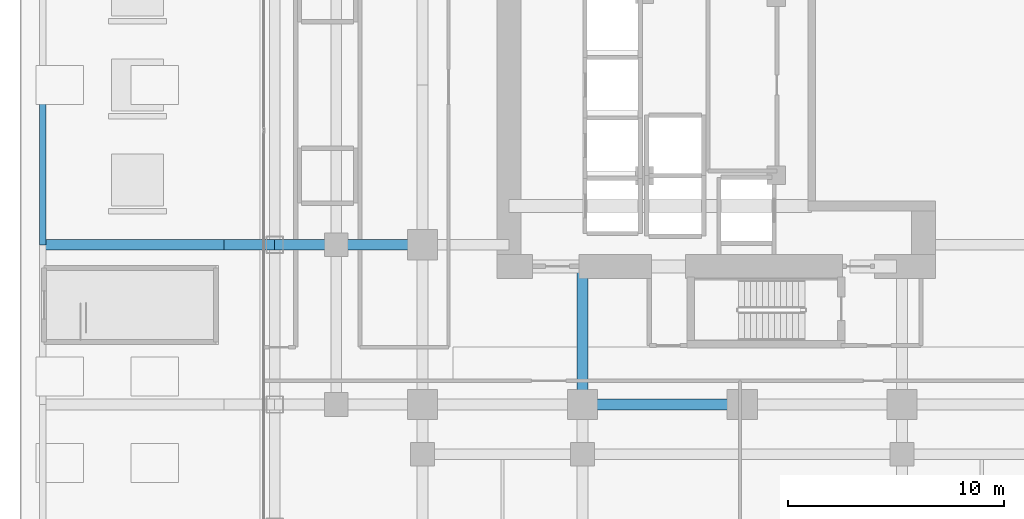
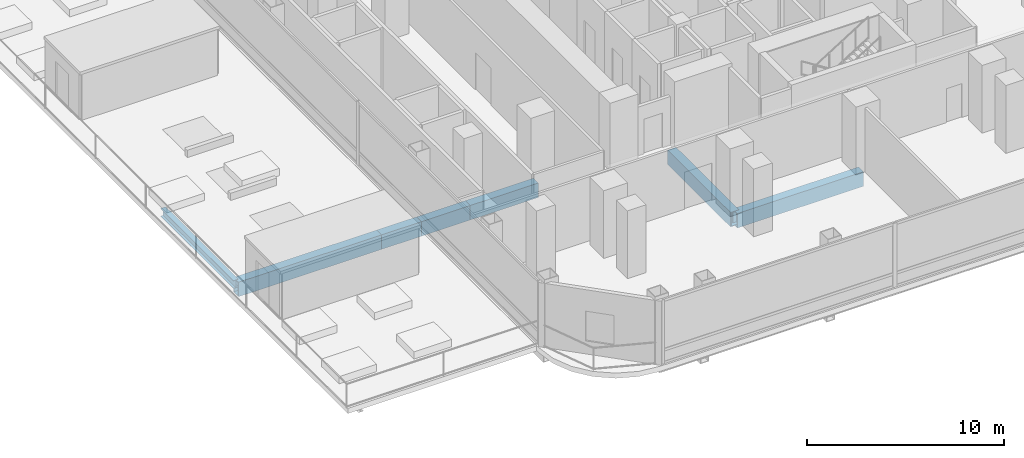
# One storey, part 5 of 29: 7 beams.
"""IFC4 building model written with IfcOpenShell, lengths in metres."""

from ifc_helpers import new_model, si_unit, direction, frame, origin, origin_2d, place, context, subcontext, project, spatial, hollow_rectangle, i_section, extrude, material, material_profile, profile_set, type_object, element, save


model = new_model("IFC4")

# Units and contexts
model_context = context("Model", 3, precision=1e-05, world=origin(), true_north=direction((0.0, 1.0)))
body_context = subcontext(model_context, "Body", "Model", "MODEL_VIEW")
ifc_project = project(units=[si_unit("LENGTHUNIT", "METRE"), si_unit("AREAUNIT", "SQUARE_METRE"), si_unit("VOLUMEUNIT", "CUBIC_METRE"), si_unit("PLANEANGLEUNIT", "RADIAN"), si_unit("MASSUNIT", "GRAM", prefix="KILO")], contexts=[model_context])

# Site, building, storey
site_placement = place(None, origin())
site = spatial("IfcSite", under=ifc_project, at=site_placement, CompositionType="ELEMENT")
building_placement = place(site_placement, origin())
building = spatial("IfcBuilding", under=site, at=building_placement, Name="Khorvyn Point Tower", CompositionType="ELEMENT")
storey_placement = place(building_placement, frame((0.0, 0.0, 26.39990234375)))
storey = spatial("IfcBuildingStorey", under=building, at=storey_placement, Name="L07", CompositionType="ELEMENT", Elevation=26.39990234375)

# Beams
ifc_material_1 = material(Name="Steel S355", Category="steel")
ifc_material_profile_1 = material_profile(ifc_material_1, i_section(OverallWidth=0.300048828125, OverallDepth=0.488037109375, WebThickness=0.010986328125, FlangeThickness=0.01806640625, at=origin_2d()))
ifc_profile_set_1 = profile_set([ifc_material_profile_1], Name="Steel S355 H488x300x11x18")
beam_type_1 = type_object("IfcBeamType", Name="Steel S355 Spandrel H488x300x11x18", PredefinedType="SPANDREL", material=ifc_profile_set_1)
beam_1_placement = place(storey_placement, frame((-32.39990234375, -7.39990234375, -0.56396484375), z_axis=(0.0, 1.0, 0.0), x_axis=(-1.0, 0.0, 0.0)))
element("IfcBeam", 1, at=beam_1_placement, inside=storey, type_object=beam_type_1, Name="Beam", PredefinedType="SPANDREL", context=body_context, shape_type="SweptSolid", body=[
    extrude(i_section(OverallWidth=0.300048828125, OverallDepth=0.488037109375, WebThickness=0.010986328125, FlangeThickness=0.01806640625, at=origin_2d()), origin(), (0.0, 0.0, 1.0), 7.39990234375),
])
ifc_material_2 = material(Name="Steel S450", Category="steel")
ifc_material_profile_2 = material_profile(ifc_material_2, hollow_rectangle(XDim=0.5, YDim=0.89990234375, WallThickness=0.0400390625, at=origin_2d()))
ifc_profile_set_2 = profile_set([ifc_material_profile_2], Name="Steel S450 BOX900x500x40")
beam_type_2 = type_object("IfcBeamType", Name="Steel S450 Beam BOX900x500x40", PredefinedType="BEAM", material=ifc_profile_set_2)
beam_2_placement = place(storey_placement, frame((-32.39990234375, -7.39990234375, -0.77001953125), z_axis=(1.0, 0.0, 0.0), x_axis=(0.0, 1.0, 0.0)))
element("IfcBeam", 2, at=beam_2_placement, inside=storey, type_object=beam_type_2, Name="Beam", PredefinedType="BEAM", context=body_context, shape_type="SweptSolid", body=[
    extrude(hollow_rectangle(XDim=0.5, YDim=0.89990234375, WallThickness=0.0400390625, at=origin_2d()), origin(), (0.0, 0.0, 1.0), 8.39990234375),
])
beam_3_placement = place(storey_placement, frame((-24.0, -7.39990234375, -0.77001953125), z_axis=(1.0, 0.0, 0.0), x_axis=(0.0, 1.0, 0.0)))
element("IfcBeam", 3, at=beam_3_placement, inside=storey, type_object=beam_type_2, Name="Beam", PredefinedType="BEAM", context=body_context, shape_type="SweptSolid", body=[
    extrude(hollow_rectangle(XDim=0.5, YDim=0.89990234375, WallThickness=0.0400390625, at=origin_2d()), origin(), (0.0, 0.0, 1.0), 2.35009765625),
])
beam_4_placement = place(storey_placement, frame((-7.39990234375, -14.800048828125, -0.77001953125), z_axis=(1.0, 0.0, 0.0), x_axis=(0.0, 1.0, 0.0)))
element("IfcBeam", 4, at=beam_4_placement, inside=storey, type_object=beam_type_2, Name="L07 Radial Transfer Girder", PredefinedType="BEAM", context=body_context, shape_type="SweptSolid", body=[
    extrude(hollow_rectangle(XDim=0.5, YDim=0.89990234375, WallThickness=0.0400390625, at=origin_2d()), origin(), (0.0, 0.0, 1.0), 7.39990234375),
])
beam_5_placement = place(storey_placement, frame((-21.64990234375, -7.39990234375, -0.77001953125), z_axis=(1.0, 0.0, 0.0), x_axis=(0.0, 1.0, 0.0)))
element("IfcBeam", 5, at=beam_5_placement, inside=storey, type_object=beam_type_2, Name="Beam", PredefinedType="BEAM", context=body_context, shape_type="SweptSolid", body=[
    extrude(hollow_rectangle(XDim=0.5, YDim=0.89990234375, WallThickness=0.0400390625, at=origin_2d()), origin(), (0.0, 0.0, 1.0), 2.849853515625),
])
beam_6_placement = place(storey_placement, frame((-18.800048828125, -7.39990234375, -0.77001953125), z_axis=(1.0, 0.0, 0.0), x_axis=(0.0, 1.0, 0.0)))
element("IfcBeam", 6, at=beam_6_placement, inside=storey, type_object=beam_type_2, Name="Beam", PredefinedType="BEAM", context=body_context, shape_type="SweptSolid", body=[
    extrude(hollow_rectangle(XDim=0.5, YDim=0.89990234375, WallThickness=0.0400390625, at=origin_2d()), origin(), (0.0, 0.0, 1.0), 4.0),
])
beam_7_placement = place(storey_placement, frame((-7.39990234375, -14.800048828125, -0.77001953125), z_axis=(0.0, 1.0, 0.0), x_axis=(-1.0, 0.0, 0.0)))
element("IfcBeam", 7, at=beam_7_placement, inside=storey, type_object=beam_type_2, Name="Beam", PredefinedType="BEAM", context=body_context, shape_type="SweptSolid", body=[
    extrude(hollow_rectangle(XDim=0.5, YDim=0.89990234375, WallThickness=0.0400390625, at=origin_2d()), origin(), (0.0, 0.0, 1.0), 6.400146484375),
])

save(model, "model.ifc")
